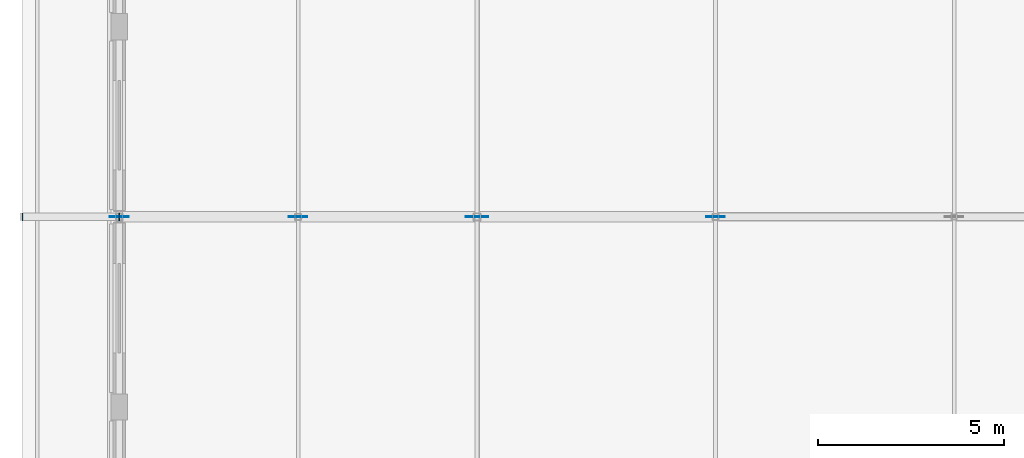
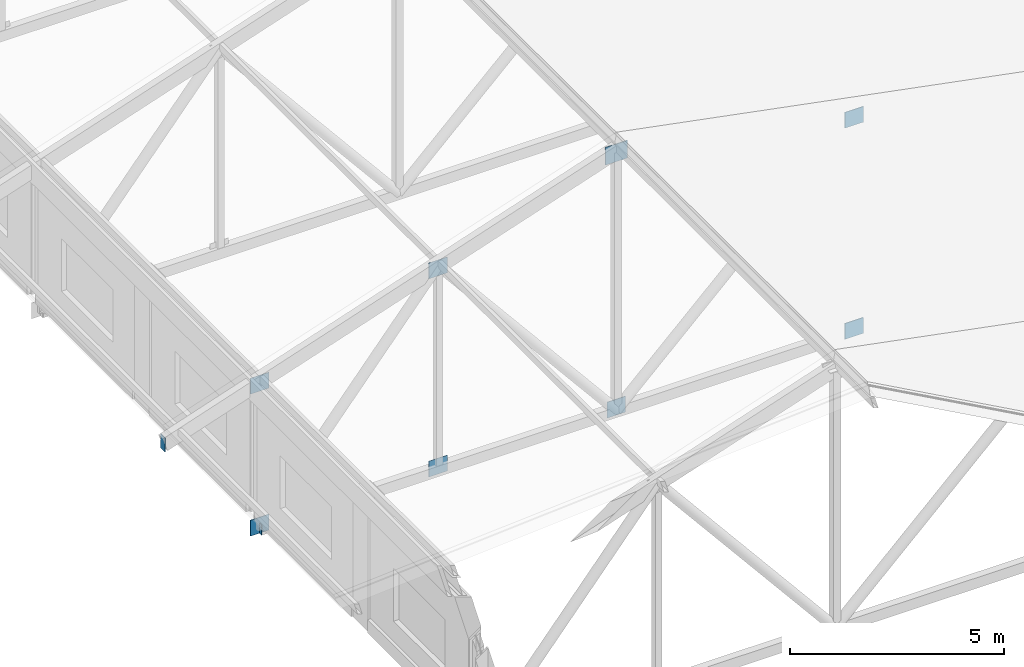
# One storey, part 153 of 200: 10 plates.
"""IFC4 building model written with IfcOpenShell, lengths in metres."""

from ifc_helpers import new_model, si_unit, direction, frame, origin, origin_2d, place, context, subcontext, project, spatial, rectangle, extrude, material, layer, layer_set, type_object, element, save


model = new_model("IFC4")

# Units and contexts
model_context = context("Model", 3, precision=1e-05, world=origin(), true_north=direction((0.0, 1.0)))
body_context = subcontext(model_context, "Body", "Model", "MODEL_VIEW")
ifc_project = project(units=[si_unit("LENGTHUNIT", "METRE"), si_unit("AREAUNIT", "SQUARE_METRE"), si_unit("VOLUMEUNIT", "CUBIC_METRE"), si_unit("PLANEANGLEUNIT", "RADIAN"), si_unit("MASSUNIT", "GRAM", prefix="KILO")], contexts=[model_context])

# Site, building, storey
site_placement = place(None, origin())
site = spatial("IfcSite", under=ifc_project, at=site_placement, CompositionType="ELEMENT")
building_placement = place(site_placement, origin())
building = spatial("IfcBuilding", under=site, at=building_placement, Name="Vondelvale Polytechnic", CompositionType="ELEMENT")
storey_placement = place(building_placement, frame((0.0, 0.0, 13.800048828125)))
storey = spatial("IfcBuildingStorey", under=building, at=storey_placement, Name="L03", CompositionType="ELEMENT", Elevation=13.800048828125)

# Plates
ifc_material = material(Name="Steel Grade 350 (fy = 340 MPa)", Category="steel")
ifc_layer_1 = layer(ifc_material, 0.01611328125)
ifc_layer_set_1 = layer_set([ifc_layer_1], Name="PLATE-CAP-300x200")
plate_type_1 = type_object("IfcPlateType", Name="PLATE-CAP-300x200", PredefinedType="USERDEFINED", material=ifc_layer_set_1)
plate_1_placement = place(storey_placement, frame((0.0, 71.39990234375, -0.5703125), z_axis=(0.0, 0.0, 1.0), x_axis=(1.0, 0.0, 0.0)))
element("IfcPlate", 1, at=plate_1_placement, inside=storey, type_object=plate_type_1, Name="ROOF TRUSS bottom chord cap plate W", ObjectType="CAP_PLATE", PredefinedType="USERDEFINED", context=body_context, shape_type="SweptSolid", body=[
    extrude(rectangle(XDim=0.01611328125, YDim=0.199951171875, at=origin_2d()), origin(), (0.0, 0.0, 1.0), 0.300048828125),
])
ifc_layer_2 = layer(ifc_material, 0.01611328125)
ifc_layer_set_2 = layer_set([ifc_layer_2], Name="PLATE-CAP-400x200")
plate_type_2 = type_object("IfcPlateType", Name="PLATE-CAP-400x200", PredefinedType="USERDEFINED", material=ifc_layer_set_2)
plate_2_placement = place(storey_placement, frame((-2.60009765625, 71.39990234375, 2.71337890625), z_axis=(0.0, 0.0, 1.0), x_axis=(1.0, 0.0, 0.0)))
element("IfcPlate", 2, at=plate_2_placement, inside=storey, type_object=plate_type_2, Name="ROOF TRUSS hollow end cap plate W", ObjectType="CAP_PLATE", PredefinedType="USERDEFINED", context=body_context, shape_type="SweptSolid", body=[
    extrude(rectangle(XDim=0.01611328125, YDim=0.199951171875, at=origin_2d()), origin(), (0.0, 0.0, 1.0), 0.39990234375),
])
ifc_layer_3 = layer(ifc_material, 0.01611328125)
ifc_layer_set_3 = layer_set([ifc_layer_3], Name="PLATE-GUSSET-16")
plate_type_3 = type_object("IfcPlateType", Name="PLATE-GUSSET-16", PredefinedType="USERDEFINED", material=ifc_layer_set_3)
for number, where, z_axis, x_axis, name in (
    (3, (0.0, 71.39990234375, 3.47509765625), (0.0, 0.0, 1.0), (1.0, 0.0, 0.0), "ROOF TRUSS top chord gusset node plate 0"),
    (4, (0.0, 71.39990234375, -0.56494140625), (0.0, 0.0, 1.0), (1.0, 0.0, 0.0), "ROOF TRUSS bottom chord gusset node plate 0"),
    (5, (4.800048828125, 71.39990234375, 5.0751953125), (0.0, 0.0, 1.0), (1.0, 0.0, 0.0), "ROOF TRUSS top chord gusset node plate 1"),
    (6, (4.800048828125, 71.39990234375, -0.56494140625), (0.0, 0.0, 1.0), (1.0, 0.0, 0.0), "ROOF TRUSS bottom chord gusset node plate 1"),
    (7, (9.60009765625, 71.39990234375, -0.56494140625), (0.0, 0.0, 1.0), (1.0, 0.0, 0.0), "ROOF TRUSS bottom chord gusset node plate 2"),
    (8, (16.0, 71.39990234375, 5.44189453125), (0.0, 0.0, 1.0), (1.0, 0.0, 0.0), "ROOF TRUSS top chord gusset node plate 3"),
    (9, (16.0, 71.39990234375, -0.56494140625), (0.0, 0.0, 1.0), (1.0, 0.0, 0.0), "ROOF TRUSS bottom chord gusset node plate 3"),
):
    element("IfcPlate", number, at=place(storey_placement, frame(where, z_axis=z_axis, x_axis=x_axis)), inside=storey, type_object=plate_type_3, Name=name, ObjectType="GUSSET_PLATE", PredefinedType="USERDEFINED", context=body_context, shape_type="SweptSolid", body=[
        extrude(rectangle(XDim=0.5, YDim=0.01611328125, at=origin_2d()), origin(), (0.0, 0.0, 1.0), 0.449951171875),
    ])
ifc_layer_4 = layer(ifc_material, 0.02001953125)
ifc_layer_set_4 = layer_set([ifc_layer_4], Name="PLATE-GUSSET-G03")
plate_type_4 = type_object("IfcPlateType", Name="PLATE-GUSSET-G03", PredefinedType="USERDEFINED", material=ifc_layer_set_4)
plate_3_placement = place(storey_placement, frame((9.60009765625, 71.39990234375, 6.64990234375), z_axis=(0.0, 0.0, 1.0), x_axis=(1.0, 0.0, 0.0)))
element("IfcPlate", 10, at=plate_3_placement, inside=storey, type_object=plate_type_4, Name="ROOF TRUSS top chord gusset node plate 2", ObjectType="GUSSET_PLATE", PredefinedType="USERDEFINED", context=body_context, shape_type="SweptSolid", body=[
    extrude(rectangle(XDim=0.60009765625, YDim=0.02001953125, at=origin_2d()), origin(), (0.0, 0.0, 1.0), 0.5),
])

save(model, "model.ifc")
